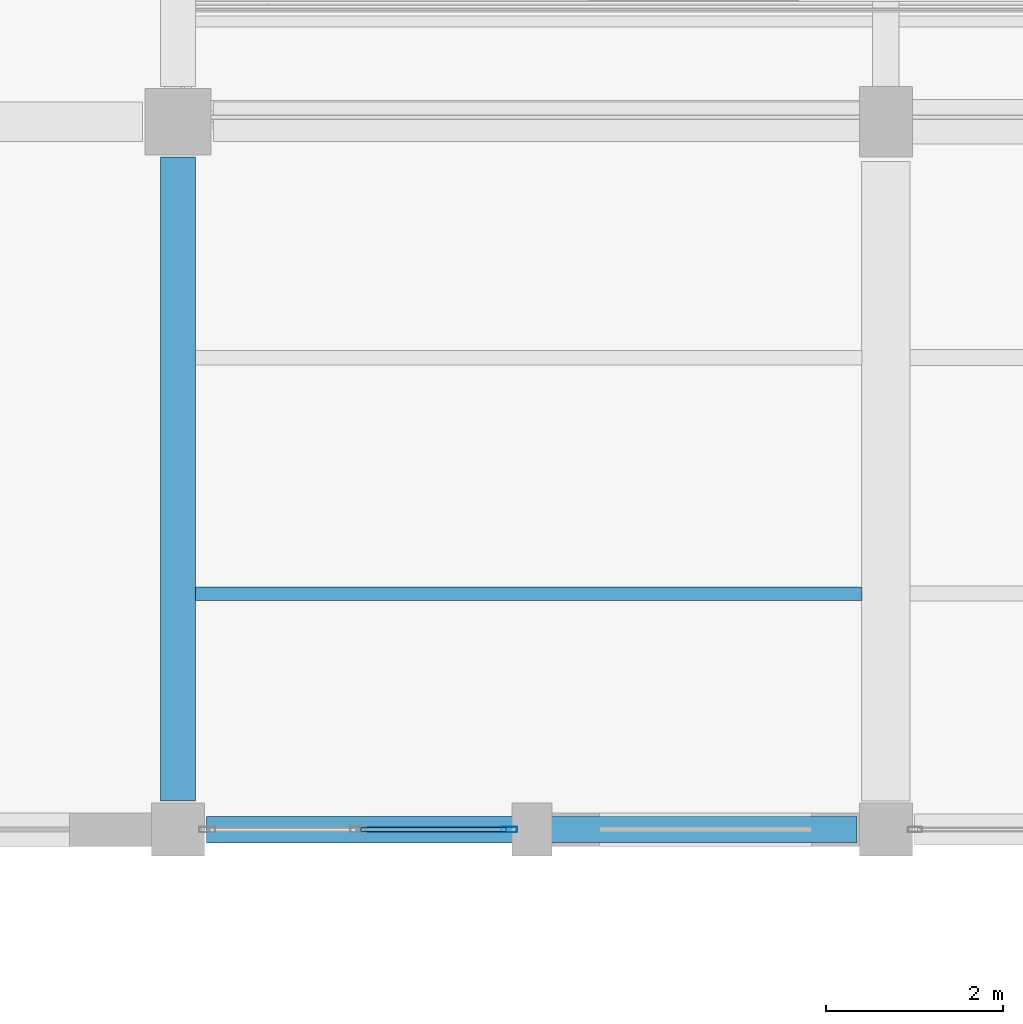
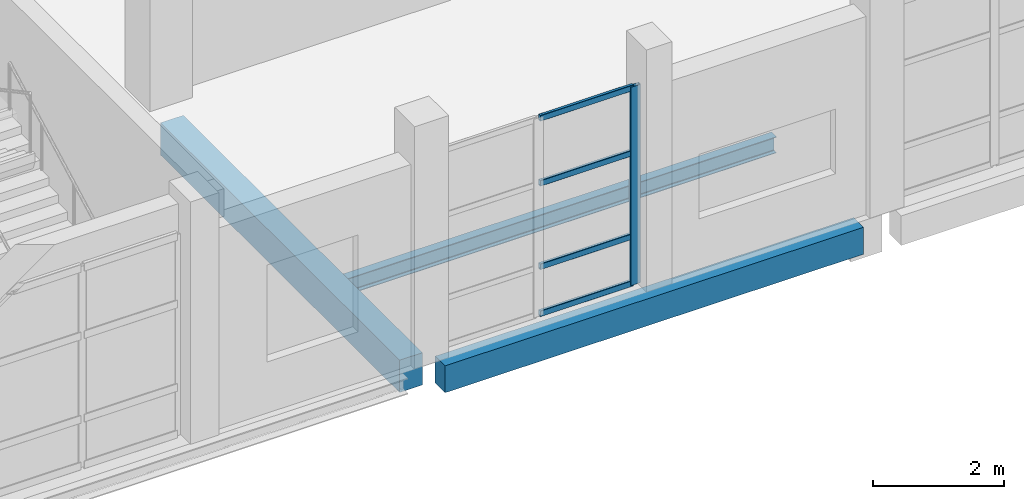
# One storey, part 37 of 183: 5 members, 3 beams, 1 element without a shape of its own.
"""IFC4 building model written with IfcOpenShell, lengths in metres."""

import ifcopenshell
import ifcopenshell.guid

model = None  # the IFC model being written
_history = None  # IfcOwnerHistory: only IFC2X3 demands one
_inside = {}  # id of a spatial element -> (the spatial element, [elements in it])
_under = {}  # id of a project, library or spatial element -> (it, [spatial elements below it])
_declared = {}  # id of a project -> (the project, [libraries it declares])
_typed = {}  # id of a type object -> (the type object, [elements of that type])
_made_of = {}  # id of a material, layer set ... -> (it, [elements and type objects made of it])


def new_model(schema):
    """Start an empty IFC model of exactly this schema.

    Asked for "IFC4X3", IfcOpenShell would pick the latest addendum, in which some entities
    have other attributes; the version numbers below select the first issue.
    IFC2X3 requires an IfcOwnerHistory on every rooted entity: one is made here for all.
    """
    global model, _history
    if schema == "IFC4X3":
        model = ifcopenshell.file(schema_version=(4, 3, 0, 0))
    else:
        model = ifcopenshell.file(schema=schema)
    _inside.clear()
    _under.clear()
    _declared.clear()
    _typed.clear()
    _made_of.clear()
    _history = None
    if model.schema == "IFC2X3":
        org = make("IfcOrganization", Name="unknown")
        user = make(
            "IfcPersonAndOrganization",
            ThePerson=make("IfcPerson", FamilyName="unknown"),
            TheOrganization=org,
        )
        app = make(
            "IfcApplication",
            ApplicationDeveloper=org,
            Version="unknown",
            ApplicationFullName="unknown",
            ApplicationIdentifier="unknown",
        )
        _history = make(
            "IfcOwnerHistory",
            OwningUser=user,
            OwningApplication=app,
            ChangeAction="ADDED",
            CreationDate=0,
        )
    return model


def make(cls, **values):
    """One entity of the class cls with the attributes given. An attribute that is None is left unset."""
    return model.create_entity(
        cls, **{name: value for name, value in values.items() if value is not None}
    )


def rooted(cls, **values):
    """An entity with a GlobalId (a new one), such as an element, a storey or a relation."""
    return make(cls, GlobalId=ifcopenshell.guid.new(), OwnerHistory=_history, **values)


def si_unit(unit_type, name, prefix=None):
    """IfcSIUnit, for example si_unit("LENGTHUNIT", "METRE", prefix="MILLI")."""
    return make("IfcSIUnit", UnitType=unit_type, Prefix=prefix, Name=name)


def assignment(units):
    """IfcUnitAssignment: the units of a project."""
    return None if units is None else make("IfcUnitAssignment", Units=units)


def point(xyz):
    """IfcCartesianPoint."""
    return None if xyz is None else make("IfcCartesianPoint", Coordinates=xyz)


def direction(xyz):
    """IfcDirection."""
    return None if xyz is None else make("IfcDirection", DirectionRatios=xyz)


def frame(location, z_axis=None, x_axis=None):
    """IfcAxis2Placement3D, a coordinate frame: its origin and axes. An axis left out is left unset."""
    return make(
        "IfcAxis2Placement3D",
        Location=point(location),
        Axis=direction(z_axis),
        RefDirection=direction(x_axis),
    )


def frame_2d(location, x_axis=None):
    """IfcAxis2Placement2D, a coordinate frame in the plane: its origin and x axis."""
    return make(
        "IfcAxis2Placement2D", Location=point(location), RefDirection=direction(x_axis)
    )


def origin():
    """The frame at (0, 0, 0) with its axes left unset."""
    return frame((0.0, 0.0, 0.0))


def origin_2d():
    """The frame at (0, 0) in the plane with its x axis left unset."""
    return frame_2d((0.0, 0.0))


def place(relative_to, where):
    """IfcLocalPlacement: puts the frame where relative to a parent placement (None: the world)."""
    return make(
        "IfcLocalPlacement", PlacementRelTo=relative_to, RelativePlacement=where
    )


def context(
    kind, dimensions, precision=None, world=None, true_north=None, identifier=None
):
    """IfcGeometricRepresentationContext, for example the 3D "Model" context."""
    return make(
        "IfcGeometricRepresentationContext",
        ContextIdentifier=identifier,
        ContextType=kind,
        CoordinateSpaceDimension=dimensions,
        Precision=precision,
        WorldCoordinateSystem=world,
        TrueNorth=true_north,
    )


def subcontext(parent, identifier, kind, view, scale=None):
    """IfcGeometricRepresentationSubContext, for example "Body" below "Model"."""
    return make(
        "IfcGeometricRepresentationSubContext",
        ContextIdentifier=identifier,
        ContextType=kind,
        ParentContext=parent,
        TargetScale=scale,
        TargetView=view,
    )


def project(units=None, contexts=None):
    """IfcProject with its units and contexts."""
    return rooted(
        "IfcProject",
        Name="project",
        RepresentationContexts=contexts,
        UnitsInContext=assignment(units),
    )


def spatial(cls, under=None, at=None, **own):
    """A site, building, storey or space (cls), placed at a placement, below another one or the project."""
    s = rooted(cls, ObjectPlacement=at, **own)
    if under is not None:
        _under.setdefault(under.id(), (under, []))[1].append(s)
    return s


def profile(cls, at=None, kind="AREA", **sizes):
    """A parametric profile (cls). Its sizes go by their IFC names, for example OverallWidth=200.0."""
    return make(cls, ProfileType=kind, Position=at, **sizes)


def rectangle(**sizes):
    """IfcRectangleProfileDef."""
    return profile("IfcRectangleProfileDef", **sizes)


def hollow_rectangle(**sizes):
    """IfcRectangleHollowProfileDef."""
    return profile("IfcRectangleHollowProfileDef", **sizes)


def i_section(**sizes):
    """IfcIShapeProfileDef."""
    return profile("IfcIShapeProfileDef", **sizes)


def extrude(swept, where, along, depth):
    """IfcExtrudedAreaSolid: the profile swept, set in the frame where, extruded along a direction by depth."""
    return make(
        "IfcExtrudedAreaSolid",
        SweptArea=swept,
        Position=where,
        ExtrudedDirection=direction(along),
        Depth=depth,
    )


def shape(context_of_items, identifier, shape_type, items):
    """IfcShapeRepresentation: the items that make up one representation, for example the "Body"."""
    return make(
        "IfcShapeRepresentation",
        ContextOfItems=context_of_items,
        RepresentationIdentifier=identifier,
        RepresentationType=shape_type,
        Items=items,
    )


def material(Name=None, Category=None):
    """IfcMaterial."""
    return make("IfcMaterial", Name=Name, Category=Category)


def material_profile(
    of_material, cross_section, Name=None, Category=None, Priority=None
):
    """IfcMaterialProfile: a cross section and its material."""
    return make(
        "IfcMaterialProfile",
        Name=Name,
        Material=of_material,
        Profile=cross_section,
        Priority=Priority,
        Category=Category,
    )


def profile_set(profiles, Name=None, composite=None):
    """IfcMaterialProfileSet."""
    return make(
        "IfcMaterialProfileSet",
        Name=Name,
        MaterialProfiles=profiles,
        CompositeProfile=composite,
    )


def made_of(thing, what):
    """Note that an element or type object is made of a material, layer set ...; save() writes the relation."""
    if what is not None:
        _made_of.setdefault(what.id(), (what, []))[1].append(thing)
    return thing


def type_object(cls, material=None, **own):
    """A type object (cls), such as IfcWallType, which elements share."""
    return made_of(rooted(cls, **own), material)


def element(
    cls,
    number,
    at=None,
    inside=None,
    cuts=None,
    type_object=None,
    material=None,
    context=None,
    identifier="Body",
    shape_type=None,
    held_by="IfcProductDefinitionShape",
    body=None,
    shapes=None,
    **own,
):
    """One element of the class cls, such as IfcWall. Its Tag is "e" and its number.

    at: its placement. inside: the storey or other place that contains it. cuts: it is an
    opening in that element (IfcRelVoidsElement). A single representation is given by context,
    identifier, shape_type and body (its items); several are given by shapes. held_by: the class
    of the entity that holds the representations. save() writes the other relations.
    """
    e = rooted(cls, Tag="e%d" % number, ObjectPlacement=at, **own)
    if body is not None:
        shapes = [shape(context, identifier, shape_type, body)]
    if shapes is not None:
        e.Representation = make(held_by, Representations=shapes)
    if inside is not None:
        _inside.setdefault(inside.id(), (inside, []))[1].append(e)
    if cuts is not None:
        rooted(
            "IfcRelVoidsElement", RelatingBuildingElement=cuts, RelatedOpeningElement=e
        )
    if type_object is not None:
        _typed.setdefault(type_object.id(), (type_object, []))[1].append(e)
    return made_of(e, material)


def aggregate(whole, parts):
    """IfcRelAggregates: a whole, such as a stair, and the parts it consists of."""
    return rooted("IfcRelAggregates", RelatingObject=whole, RelatedObjects=parts)


def save(model, path):
    """Write the relations noted so far, then the file.

    IfcRelAggregates (storeys below a building ...), IfcRelContainedInSpatialStructure (elements
    in a storey), IfcRelDefinesByType, IfcRelAssociatesMaterial and IfcRelDeclares: one each for
    every whole, place, type object, material and project.
    """
    for whole, parts in _under.values():
        aggregate(whole, parts)
    for where, things in _inside.values():
        rooted(
            "IfcRelContainedInSpatialStructure",
            RelatedElements=things,
            RelatingStructure=where,
        )
    for kind, things in _typed.values():
        rooted("IfcRelDefinesByType", RelatedObjects=things, RelatingType=kind)
    for what, things in _made_of.values():
        rooted("IfcRelAssociatesMaterial", RelatedObjects=things, RelatingMaterial=what)
    for by, libraries in _declared.values():
        rooted("IfcRelDeclares", RelatingContext=by, RelatedDefinitions=libraries)
    model.write(path)


model = new_model("IFC4")

# Units and contexts
model_context = context("Model", 3, precision=1e-05, world=origin(), true_north=direction((0.0, 1.0)))
body_context = subcontext(model_context, "Body", "Model", "MODEL_VIEW")
ifc_project = project(units=[si_unit("LENGTHUNIT", "METRE"), si_unit("AREAUNIT", "SQUARE_METRE"), si_unit("VOLUMEUNIT", "CUBIC_METRE"), si_unit("PLANEANGLEUNIT", "RADIAN"), si_unit("MASSUNIT", "GRAM", prefix="KILO")], contexts=[model_context])

# Site, building, storey
site_placement = place(None, origin())
site = spatial("IfcSite", under=ifc_project, at=site_placement, CompositionType="ELEMENT")
building_placement = place(site_placement, origin())
building = spatial("IfcBuilding", under=site, at=building_placement, Name="Luwemba Playhouse", CompositionType="ELEMENT")
storey_placement = place(building_placement, frame((0.0, 0.0, 4.800048828125)))
storey = spatial("IfcBuildingStorey", under=building, at=storey_placement, Name="L01", CompositionType="ELEMENT", Elevation=4.800048828125)

# Beams
ifc_material_1 = material(Name="Concrete C40/50", Category="concrete")
ifc_material_profile_1 = material_profile(ifc_material_1, rectangle(XDim=0.39990234375, YDim=0.60009765625, at=origin_2d()))
ifc_profile_set_1 = profile_set([ifc_material_profile_1], Name="Concrete C40/50")
beam_type_1 = type_object("IfcBeamType", Name="BM-RB01", PredefinedType="BEAM", material=ifc_profile_set_1)
beam_1_placement = place(storey_placement, frame((12.0, 36.324951171875, -0.550048828125), z_axis=(0.0, 1.0, 0.0), x_axis=(-1.0, 0.0, 0.0)))
element("IfcBeam", 1, at=beam_1_placement, inside=storey, type_object=beam_type_1, Name="L01 transverse girder 0360", PredefinedType="BEAM", context=body_context, shape_type="SweptSolid", body=[
    extrude(rectangle(XDim=0.39990234375, YDim=0.60009765625, at=origin_2d()), origin(), (0.0, 0.0, 1.0), 7.275146484375),
])
ifc_material_2 = material(Name="Steel S355", Category="steel")
ifc_material_profile_2 = material_profile(ifc_material_2, i_section(OverallWidth=0.14990234375, OverallDepth=0.300048828125, WebThickness=0.007080078125, FlangeThickness=0.0107421875, FilletRadius=0.014892578125, at=origin_2d()))
ifc_profile_set_2 = profile_set([ifc_material_profile_2], Name="Steel S355")
beam_type_2 = type_object("IfcBeamType", Name="BM-SJ05", PredefinedType="JOIST", material=ifc_profile_set_2)
beam_2_placement = place(storey_placement, frame((12.196044921875, 38.666748046875, -0.400146484375), z_axis=(1.0, 0.0, 0.0), x_axis=(0.0, 1.0, 0.0)))
element("IfcBeam", 2, at=beam_2_placement, inside=storey, type_object=beam_type_2, Name="L01 composite floor joist 0240", PredefinedType="JOIST", context=body_context, shape_type="SweptSolid", body=[
    extrude(i_section(OverallWidth=0.14990234375, OverallDepth=0.300048828125, WebThickness=0.007080078125, FlangeThickness=0.0107421875, FilletRadius=0.014892578125, at=origin_2d()), origin(), (0.0, 0.0, 1.0), 7.532958984375),
])
ifc_material_profile_3 = material_profile(ifc_material_1, rectangle(XDim=0.300048828125, YDim=0.5, at=origin_2d()))
ifc_profile_set_3 = profile_set([ifc_material_profile_3], Name="Concrete C40/50")
beam_type_3 = type_object("IfcBeamType", Name="BM-SP1", PredefinedType="SPANDREL", material=ifc_profile_set_3)
beam_3_placement = place(storey_placement, frame((12.324951171875, 36.0, -0.5), z_axis=(1.0, 0.0, 0.0), x_axis=(0.0, 1.0, 0.0)))
element("IfcBeam", 3, at=beam_3_placement, inside=storey, type_object=beam_type_3, Name="L01 grid girder 0340", PredefinedType="SPANDREL", context=body_context, shape_type="SweptSolid", body=[
    extrude(rectangle(XDim=0.300048828125, YDim=0.5, at=origin_2d()), origin(), (0.0, 0.0, 1.0), 7.35009765625),
])

# Curtain wall, members
ifc_material_3 = material(Name="Solar-control double glazing", Category="glass")
curtain_wall_type = type_object("IfcCurtainWallType", Name="CW-CW78", PredefinedType="USERDEFINED", material=ifc_material_3)
curtain_wall_placement = place(storey_placement, origin())
curtain_wall = element("IfcCurtainWall", 4, at=curtain_wall_placement, inside=storey, type_object=curtain_wall_type, Name="L01 V1 unitised curtain wall 103", ObjectType="UNITISED GLAZING", PredefinedType="USERDEFINED")
ifc_material_4 = material(Name="Aluminium 6063-T6", Category="aluminium")
ifc_material_profile_4 = material_profile(ifc_material_4, hollow_rectangle(XDim=0.06494140625, YDim=0.179931640625, WallThickness=0.00439453125, InnerFilletRadius=0.0068359375, OuterFilletRadius=0.01123046875, at=origin_2d()))
ifc_profile_set_4 = profile_set([ifc_material_profile_4], Name="Aluminium 6063-T6")
member_type_1 = type_object("IfcMemberType", Name="CWM-M2", PredefinedType="MULLION", material=ifc_profile_set_4)
member_1_placement = place(storey_placement, frame((15.742431640625, 36.0, 0.0), z_axis=(0.0, 0.0, 1.0), x_axis=(0.0, -1.0, 0.0)))
member_1 = element("IfcMember", 5, at=member_1_placement, type_object=member_type_1, Name="CW78 mullion 1", PredefinedType="MULLION", context=body_context, shape_type="SweptSolid", body=[
    extrude(hollow_rectangle(XDim=0.06494140625, YDim=0.179931640625, WallThickness=0.00439453125, InnerFilletRadius=0.0068359375, OuterFilletRadius=0.01123046875, at=origin_2d()), origin(), (0.0, 0.0, 1.0), 3.68505859375),
])
ifc_material_profile_5 = material_profile(ifc_material_4, hollow_rectangle(XDim=0.054931640625, YDim=0.110107421875, WallThickness=0.00341796875, InnerFilletRadius=0.00537109375, OuterFilletRadius=0.0087890625, at=origin_2d()))
ifc_profile_set_5 = profile_set([ifc_material_profile_5], Name="Aluminium 6063-T6")
member_type_2 = type_object("IfcMemberType", Name="CWT-T2", PredefinedType="USERDEFINED", material=ifc_profile_set_5)
member_2_placement = place(storey_placement, frame((15.7099609375, 36.0, 0.02734375), z_axis=(-1.0, 0.0, 0.0), x_axis=(0.0, -1.0, 0.0)))
member_2 = element("IfcMember", 6, at=member_2_placement, type_object=member_type_2, Name="CW78 transom 1.1", ObjectType="TRANSOM", PredefinedType="USERDEFINED", context=body_context, shape_type="SweptSolid", body=[
    extrude(hollow_rectangle(XDim=0.054931640625, YDim=0.110107421875, WallThickness=0.00341796875, InnerFilletRadius=0.00537109375, OuterFilletRadius=0.0087890625, at=origin_2d()), origin(), (0.0, 0.0, 1.0), 1.639892578125),
])
member_3_placement = place(storey_placement, frame((15.7099609375, 36.0, 0.89990234375), z_axis=(-1.0, 0.0, 0.0), x_axis=(0.0, -1.0, 0.0)))
member_3 = element("IfcMember", 7, at=member_3_placement, type_object=member_type_2, Name="CW78 transom 1.2", ObjectType="TRANSOM", PredefinedType="USERDEFINED", context=body_context, shape_type="SweptSolid", body=[
    extrude(hollow_rectangle(XDim=0.054931640625, YDim=0.110107421875, WallThickness=0.00341796875, InnerFilletRadius=0.00537109375, OuterFilletRadius=0.0087890625, at=origin_2d()), origin(), (0.0, 0.0, 1.0), 1.639892578125),
])
member_4_placement = place(storey_placement, frame((15.7099609375, 36.0, 2.449951171875), z_axis=(-1.0, 0.0, 0.0), x_axis=(0.0, -1.0, 0.0)))
member_4 = element("IfcMember", 8, at=member_4_placement, type_object=member_type_2, Name="CW78 transom 1.3", ObjectType="TRANSOM", PredefinedType="USERDEFINED", context=body_context, shape_type="SweptSolid", body=[
    extrude(hollow_rectangle(XDim=0.054931640625, YDim=0.110107421875, WallThickness=0.00341796875, InnerFilletRadius=0.00537109375, OuterFilletRadius=0.0087890625, at=origin_2d()), origin(), (0.0, 0.0, 1.0), 1.639892578125),
])
member_5_placement = place(storey_placement, frame((15.7099609375, 36.0, 3.657470703125), z_axis=(-1.0, 0.0, 0.0), x_axis=(0.0, -1.0, 0.0)))
member_5 = element("IfcMember", 9, at=member_5_placement, type_object=member_type_2, Name="CW78 transom 1.4", ObjectType="TRANSOM", PredefinedType="USERDEFINED", context=body_context, shape_type="SweptSolid", body=[
    extrude(hollow_rectangle(XDim=0.054931640625, YDim=0.110107421875, WallThickness=0.00341796875, InnerFilletRadius=0.00537109375, OuterFilletRadius=0.0087890625, at=origin_2d()), origin(), (0.0, 0.0, 1.0), 1.639892578125),
])
aggregate(curtain_wall, [member_1, member_2, member_3, member_4, member_5])

save(model, "model.ifc")
